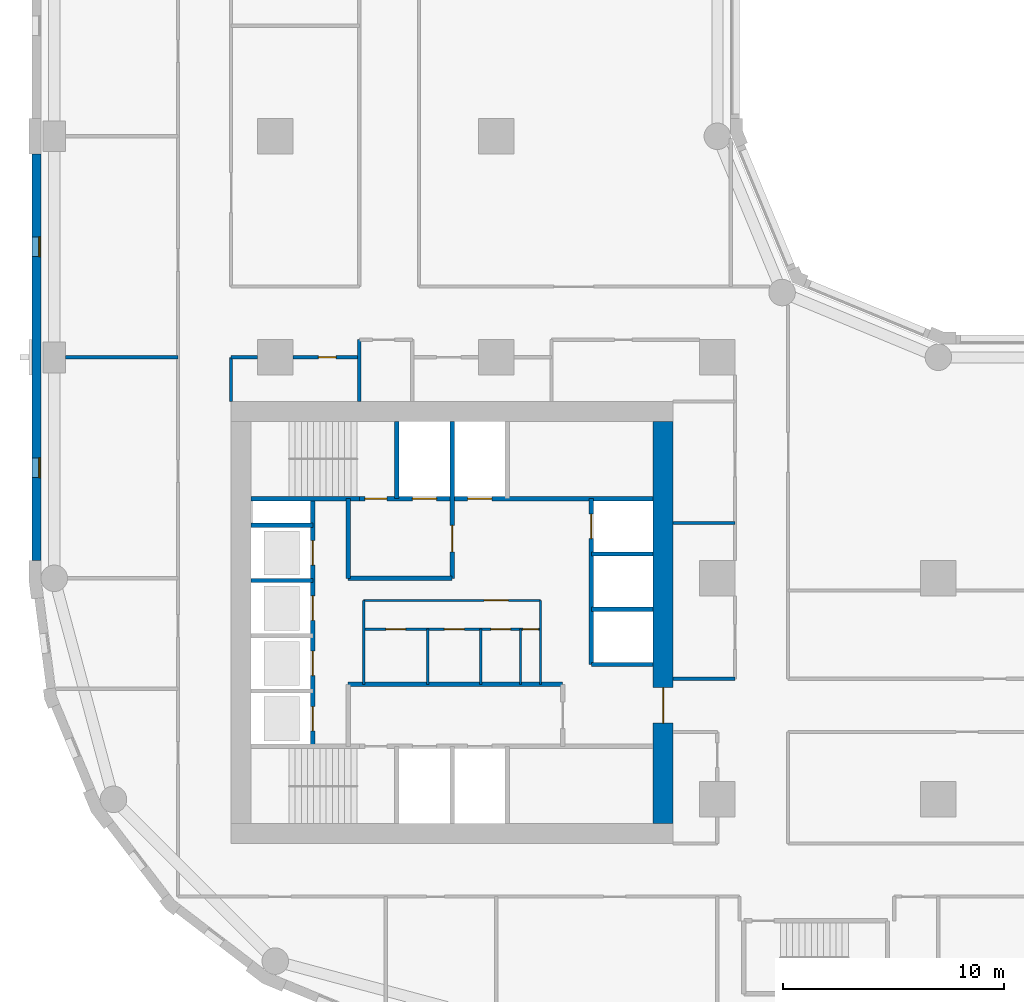
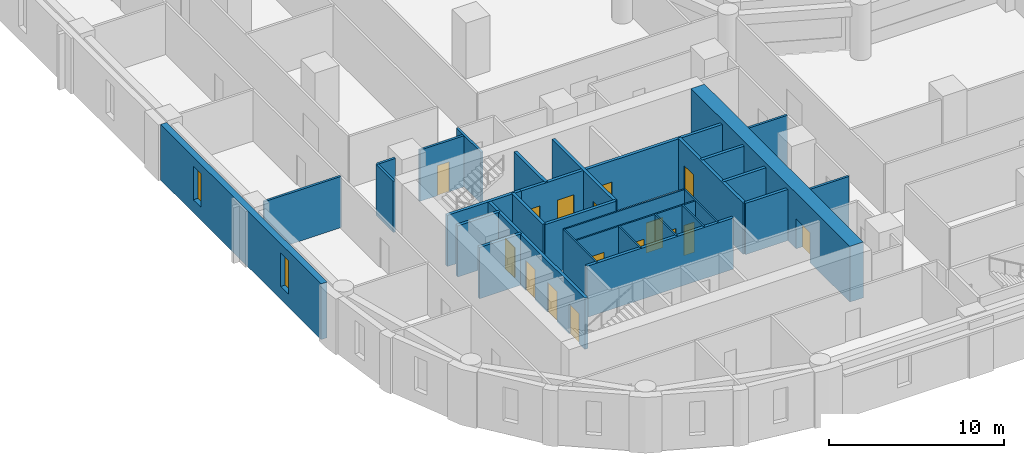
# One storey, part 3 of 11: 30 walls, 16 doors, 2 windows, 18 openings.
"""IFC4 building model written with IfcOpenShell, lengths in metres."""

from ifc_helpers import new_model, si_unit, direction, frame, frame_2d, origin, place, context, subcontext, project, spatial, rectangle, extrude, material, layer, layer_set, type_object, element, fill, save


model = new_model("IFC4")

# Units and contexts
model_context = context("Model", 3, precision=1e-05, world=origin(), true_north=direction((0.0, 1.0)))
body_context = subcontext(model_context, "Body", "Model", "MODEL_VIEW")
ifc_project = project(units=[si_unit("LENGTHUNIT", "METRE"), si_unit("AREAUNIT", "SQUARE_METRE"), si_unit("VOLUMEUNIT", "CUBIC_METRE"), si_unit("PLANEANGLEUNIT", "RADIAN"), si_unit("MASSUNIT", "GRAM", prefix="KILO")], contexts=[model_context])

# Site, building, storey
site_placement = place(None, origin())
site = spatial("IfcSite", under=ifc_project, at=site_placement, CompositionType="ELEMENT")
building_placement = place(site_placement, origin())
building = spatial("IfcBuilding", under=site, at=building_placement, Name="Qaws Garden Tower", CompositionType="ELEMENT")
storey_placement = place(building_placement, frame((0.0, 0.0, 31.5)))
storey = spatial("IfcBuildingStorey", under=building, at=storey_placement, Name="L07", CompositionType="ELEMENT", Elevation=31.5)

# Wall, openings, windows
ifc_material_1 = material(Name="Clay facing brick masonry", Category="masonry")
ifc_layer_1 = layer(ifc_material_1, 0.39990234375)
ifc_layer_set_1 = layer_set([ifc_layer_1], Name="Clay facing brick masonry")
wall_type_1 = type_object("IfcWallType", Name="Brick infill wall 400", PredefinedType="SOLIDWALL", material=ifc_layer_set_1)
wall_1_placement = place(storey_placement, frame((-0.800048828125, 39.199951171875, 0.0), z_axis=(0.0, 0.0, 1.0), x_axis=(0.0, -1.0, 0.0)))
wall_1 = element("IfcWall", 1, at=wall_1_placement, inside=storey, type_object=wall_type_1, Name="E-L07-infill-25", PredefinedType="SOLIDWALL", context=body_context, shape_type="SweptSolid", body=[
    extrude(rectangle(XDim=18.39990234375, YDim=0.39990234375, at=frame_2d((9.199951171875, 0.0))), origin(), (0.0, 0.0, 1.0), 3.89990234375),
])
opening_1_placement = place(wall_1_placement, frame((3.75, 0.0, 0.89990234375)))
opening_1 = element("IfcOpeningElement", 2, at=opening_1_placement, cuts=wall_1, Name="Opening W09", PredefinedType="OPENING", context=body_context, shape_type="SweptSolid", body=[
    extrude(rectangle(XDim=0.89990234375, YDim=2.35009765625, at=frame_2d((0.449951171875, 1.175048828125))), frame((0.0, 0.2099609375, 0.0), z_axis=(0.0, -1.0, 0.0), x_axis=(1.0, 0.0, 0.0)), (0.0, 0.0, 1.0), 0.419921875),
])
opening_2_placement = place(wall_1_placement, frame((13.75, 0.0, 0.89990234375)))
opening_2 = element("IfcOpeningElement", 3, at=opening_2_placement, cuts=wall_1, Name="Opening W09", PredefinedType="OPENING", context=body_context, shape_type="SweptSolid", body=[
    extrude(rectangle(XDim=0.89990234375, YDim=2.35009765625, at=frame_2d((0.449951171875, 1.175048828125))), frame((0.0, 0.2099609375, 0.0), z_axis=(0.0, -1.0, 0.0), x_axis=(1.0, 0.0, 0.0)), (0.0, 0.0, 1.0), 0.419921875),
])
ifc_material_2 = material(Name="Aluminium framed window, clear glazing", Category="aluminium")
window_type = type_object("IfcWindowType", Name="Slit window 900 x 2350", PartitioningType="SINGLE_PANEL", PredefinedType="WINDOW", material=ifc_material_2)
window_1_placement = place(opening_1_placement, origin())
window_1 = element("IfcWindow", 4, at=window_1_placement, inside=storey, type_object=window_type, Name="E-L07-window-25-0", OverallHeight=2.35009765625, OverallWidth=0.89990234375, PartitioningType="SINGLE_PANEL", PredefinedType="WINDOW", context=body_context, shape_type="SweptSolid", body=[
    extrude(rectangle(XDim=0.89990234375, YDim=2.35009765625, at=frame_2d((0.449951171875, 1.175048828125))), frame((0.0, 0.159912109375, 0.0), z_axis=(0.0, -1.0, 0.0), x_axis=(1.0, 0.0, 0.0)), (0.0, 0.0, 1.0), 0.06005859375),
])
fill(opening_1, window_1)
window_2_placement = place(opening_2_placement, origin())
window_2 = element("IfcWindow", 5, at=window_2_placement, inside=storey, type_object=window_type, Name="E-L07-window-26-0", OverallHeight=2.35009765625, OverallWidth=0.89990234375, PartitioningType="SINGLE_PANEL", PredefinedType="WINDOW", context=body_context, shape_type="SweptSolid", body=[
    extrude(rectangle(XDim=0.89990234375, YDim=2.35009765625, at=frame_2d((0.449951171875, 1.175048828125))), frame((0.0, 0.159912109375, 0.0), z_axis=(0.0, -1.0, 0.0), x_axis=(1.0, 0.0, 0.0)), (0.0, 0.0, 1.0), 0.06005859375),
])
fill(opening_2, window_2)

# Wall, openings, doors
ifc_material_3 = material(Name="Plasterboard")
ifc_layer_2 = layer(ifc_material_3, 0.10009765625)
ifc_layer_set_2 = layer_set([ifc_layer_2], Name="Plasterboard")
wall_type_2 = type_object("IfcWallType", Name="Core partition 100", PredefinedType="PARTITIONING", material=ifc_layer_set_2)
wall_2_placement = place(storey_placement, frame((14.0, 17.699951171875, 0.0), z_axis=(0.0, 0.0, 1.0), x_axis=(1.0, 0.0, 0.0)))
wall_2 = element("IfcWall", 6, at=wall_2_placement, inside=storey, type_object=wall_type_2, Name="Core partition", PredefinedType="PARTITIONING", context=body_context, shape_type="SweptSolid", body=[
    extrude(rectangle(XDim=8.0, YDim=0.10009765625, at=frame_2d((4.0, 0.0))), origin(), (0.0, 0.0, 1.0), 3.580078125),
])
opening_3_placement = place(wall_2_placement, frame((1.0, 0.0, 0.0)))
opening_3 = element("IfcOpeningElement", 7, at=opening_3_placement, cuts=wall_2, Name="Opening WD18", PredefinedType="OPENING", context=body_context, shape_type="SweptSolid", body=[
    extrude(rectangle(XDim=0.89990234375, YDim=2.10009765625, at=frame_2d((0.449951171875, 1.050048828125))), frame((0.0, 0.06005859375, 0.0), z_axis=(0.0, -1.0, 0.0), x_axis=(1.0, 0.0, 0.0)), (0.0, 0.0, 1.0), 0.1201171875),
])
opening_4_placement = place(wall_2_placement, frame((3.64990234375, 0.0, 0.0)))
opening_4 = element("IfcOpeningElement", 8, at=opening_4_placement, cuts=wall_2, Name="Opening WD19", PredefinedType="OPENING", context=body_context, shape_type="SweptSolid", body=[
    extrude(rectangle(XDim=0.89990234375, YDim=2.10009765625, at=frame_2d((0.449951171875, 1.050048828125))), frame((0.0, 0.06005859375, 0.0), z_axis=(0.0, -1.0, 0.0), x_axis=(1.0, 0.0, 0.0)), (0.0, 0.0, 1.0), 0.1201171875),
])
opening_5_placement = place(wall_2_placement, frame((5.75, 0.0, 0.0)))
opening_5 = element("IfcOpeningElement", 9, at=opening_5_placement, cuts=wall_2, Name="Opening WD20", PredefinedType="OPENING", context=body_context, shape_type="SweptSolid", body=[
    extrude(rectangle(XDim=0.89990234375, YDim=2.10009765625, at=frame_2d((0.449951171875, 1.050048828125))), frame((0.0, 0.06005859375, 0.0), z_axis=(0.0, -1.0, 0.0), x_axis=(1.0, 0.0, 0.0)), (0.0, 0.0, 1.0), 0.1201171875),
])
opening_6_placement = place(wall_2_placement, frame((7.199951171875, 0.0, 0.0)))
opening_6 = element("IfcOpeningElement", 10, at=opening_6_placement, cuts=wall_2, Name="Opening XD21", PredefinedType="OPENING", context=body_context, shape_type="SweptSolid", body=[
    extrude(rectangle(XDim=0.699951171875, YDim=2.10009765625, at=frame_2d((0.35009765625, 1.050048828125))), frame((0.0, 0.06005859375, 0.0), z_axis=(0.0, -1.0, 0.0), x_axis=(1.0, 0.0, 0.0)), (0.0, 0.0, 1.0), 0.1201171875),
])
ifc_material_4 = material(Name="Timber", Category="wood")
door_type_1 = type_object("IfcDoorType", Name="Store door 700x2100", OperationType="SINGLE_SWING_LEFT", PredefinedType="DOOR", material=ifc_material_4)
door_1_placement = place(opening_6_placement, frame((0.699951171875, 0.0, 0.0), z_axis=(0.0, 0.0, 1.0), x_axis=(-1.0, 0.0, 0.0)))
door_1 = element("IfcDoor", 11, at=door_1_placement, inside=storey, type_object=door_type_1, Name="Cleaner's store door", OperationType="SINGLE_SWING_LEFT", OverallHeight=2.10009765625, OverallWidth=0.699951171875, PredefinedType="DOOR", context=body_context, shape_type="SweptSolid", body=[
    extrude(rectangle(XDim=0.699951171875, YDim=2.10009765625, at=frame_2d((0.35009765625, 1.050048828125))), frame((0.0, 0.02490234375, 0.0), z_axis=(0.0, -1.0, 0.0), x_axis=(1.0, 0.0, 0.0)), (0.0, 0.0, 1.0), 0.050048828125),
])
fill(opening_6, door_1)
ifc_material_5 = material(Name="Timber", Category="wood")
door_type_2 = type_object("IfcDoorType", Name="WC door 900x2100", OperationType="SINGLE_SWING_LEFT", PredefinedType="DOOR", material=ifc_material_5)
door_2_placement = place(opening_3_placement, frame((0.89990234375, 0.0, 0.0), z_axis=(0.0, 0.0, 1.0), x_axis=(-1.0, 0.0, 0.0)))
door_2 = element("IfcDoor", 12, at=door_2_placement, inside=storey, type_object=door_type_2, Name="Women's WC door", OperationType="SINGLE_SWING_LEFT", OverallHeight=2.10009765625, OverallWidth=0.89990234375, PredefinedType="DOOR", context=body_context, shape_type="SweptSolid", body=[
    extrude(rectangle(XDim=0.89990234375, YDim=2.10009765625, at=frame_2d((0.449951171875, 1.050048828125))), frame((0.0, 0.02490234375, 0.0), z_axis=(0.0, -1.0, 0.0), x_axis=(1.0, 0.0, 0.0)), (0.0, 0.0, 1.0), 0.050048828125),
])
fill(opening_3, door_2)
door_3_placement = place(opening_4_placement, frame((0.89990234375, 0.0, 0.0), z_axis=(0.0, 0.0, 1.0), x_axis=(-1.0, 0.0, 0.0)))
door_3 = element("IfcDoor", 13, at=door_3_placement, inside=storey, type_object=door_type_2, Name="Men's WC door", OperationType="SINGLE_SWING_LEFT", OverallHeight=2.10009765625, OverallWidth=0.89990234375, PredefinedType="DOOR", context=body_context, shape_type="SweptSolid", body=[
    extrude(rectangle(XDim=0.89990234375, YDim=2.10009765625, at=frame_2d((0.449951171875, 1.050048828125))), frame((0.0, 0.02490234375, 0.0), z_axis=(0.0, -1.0, 0.0), x_axis=(1.0, 0.0, 0.0)), (0.0, 0.0, 1.0), 0.050048828125),
])
fill(opening_4, door_3)
door_4_placement = place(opening_5_placement, frame((0.89990234375, 0.0, 0.0), z_axis=(0.0, 0.0, 1.0), x_axis=(-1.0, 0.0, 0.0)))
door_4 = element("IfcDoor", 14, at=door_4_placement, inside=storey, type_object=door_type_2, Name="Accessible WC door", OperationType="SINGLE_SWING_LEFT", OverallHeight=2.10009765625, OverallWidth=0.89990234375, PredefinedType="DOOR", context=body_context, shape_type="SweptSolid", body=[
    extrude(rectangle(XDim=0.89990234375, YDim=2.10009765625, at=frame_2d((0.449951171875, 1.050048828125))), frame((0.0, 0.02490234375, 0.0), z_axis=(0.0, -1.0, 0.0), x_axis=(1.0, 0.0, 0.0)), (0.0, 0.0, 1.0), 0.050048828125),
])
fill(opening_5, door_4)

# Wall, opening, door
wall_3_placement = place(storey_placement, frame((14.0, 19.0, 0.0), z_axis=(0.0, 0.0, 1.0), x_axis=(1.0, 0.0, 0.0)))
wall_3 = element("IfcWall", 15, at=wall_3_placement, inside=storey, type_object=wall_type_2, Name="Core partition", PredefinedType="PARTITIONING", context=body_context, shape_type="SweptSolid", body=[
    extrude(rectangle(XDim=8.0, YDim=0.10009765625, at=frame_2d((4.0, 0.0))), origin(), (0.0, 0.0, 1.0), 3.580078125),
])
opening_7_placement = place(wall_3_placement, frame((5.449951171875, 0.0, 0.0)))
opening_7 = element("IfcOpeningElement", 16, at=opening_7_placement, cuts=wall_3, Name="Opening WL17", PredefinedType="OPENING", context=body_context, shape_type="SweptSolid", body=[
    extrude(rectangle(XDim=1.10009765625, YDim=2.10009765625, at=frame_2d((0.550048828125, 1.050048828125))), frame((0.0, 0.06005859375, 0.0), z_axis=(0.0, -1.0, 0.0), x_axis=(1.0, 0.0, 0.0)), (0.0, 0.0, 1.0), 0.1201171875),
])
ifc_material_6 = material(Name="Timber", Category="wood")
door_type_3 = type_object("IfcDoorType", Name="WC lobby door 1100x2100", OperationType="SINGLE_SWING_LEFT", PredefinedType="DOOR", material=ifc_material_6)
door_5_placement = place(opening_7_placement, frame((1.10009765625, 0.0, 0.0), z_axis=(0.0, 0.0, 1.0), x_axis=(-1.0, 0.0, 0.0)))
door_5 = element("IfcDoor", 17, at=door_5_placement, inside=storey, type_object=door_type_3, Name="WC lobby door", OperationType="SINGLE_SWING_LEFT", OverallHeight=2.10009765625, OverallWidth=1.10009765625, PredefinedType="DOOR", context=body_context, shape_type="SweptSolid", body=[
    extrude(rectangle(XDim=1.10009765625, YDim=2.10009765625, at=frame_2d((0.550048828125, 1.050048828125))), frame((0.0, 0.02490234375, 0.0), z_axis=(0.0, -1.0, 0.0), x_axis=(1.0, 0.0, 0.0)), (0.0, 0.0, 1.0), 0.050048828125),
])
fill(opening_7, door_5)

# Walls
wall_4_placement = place(storey_placement, frame((14.0, 15.199951171875, 0.0), z_axis=(0.0, 0.0, 1.0), x_axis=(0.0, 1.0, 0.0)))
element("IfcWall", 18, at=wall_4_placement, inside=storey, type_object=wall_type_2, Name="Core partition", PredefinedType="PARTITIONING", context=body_context, shape_type="SweptSolid", body=[
    extrude(rectangle(XDim=3.800048828125, YDim=0.10009765625, at=frame_2d((1.89990234375, 0.0))), origin(), (0.0, 0.0, 1.0), 3.580078125),
])
for number, where, z_axis, x_axis, name in (
    (19, (16.89990234375, 15.199951171875, 0.0), (0.0, 0.0, 1.0), (0.0, 1.0, 0.0), "Core partition"),
    (20, (19.300048828125, 15.199951171875, 0.0), (0.0, 0.0, 1.0), (0.0, 1.0, 0.0), "Core partition"),
    (21, (21.10009765625, 15.199951171875, 0.0), (0.0, 0.0, 1.0), (0.0, 1.0, 0.0), "Core partition"),
):
    element("IfcWall", number, at=place(storey_placement, frame(where, z_axis=z_axis, x_axis=x_axis)), inside=storey, type_object=wall_type_2, Name=name, PredefinedType="PARTITIONING", context=body_context, shape_type="SweptSolid", body=[
        extrude(rectangle(XDim=2.5, YDim=0.10009765625, at=frame_2d((1.25, 0.0))), origin(), (0.0, 0.0, 1.0), 3.580078125),
    ])
wall_5_placement = place(storey_placement, frame((22.0, 15.199951171875, 0.0), z_axis=(0.0, 0.0, 1.0), x_axis=(0.0, 1.0, 0.0)))
element("IfcWall", 22, at=wall_5_placement, inside=storey, type_object=wall_type_2, Name="Core partition", PredefinedType="PARTITIONING", context=body_context, shape_type="SweptSolid", body=[
    extrude(rectangle(XDim=3.800048828125, YDim=0.10009765625, at=frame_2d((1.89990234375, 0.0))), origin(), (0.0, 0.0, 1.0), 3.580078125),
])
ifc_material_7 = material(Name="Concrete C80", Category="concrete")
ifc_layer_3 = layer(ifc_material_7, 0.199951171875)
ifc_layer_set_3 = layer_set([ifc_layer_3], Name="Concrete C80")
wall_type_3 = type_object("IfcWallType", Name="Core shaft wall 200 C80", PredefinedType="SHEAR", material=ifc_layer_set_3)
wall_6_placement = place(storey_placement, frame((13.300048828125, 15.199951171875, 0.0), z_axis=(0.0, 0.0, 1.0), x_axis=(1.0, 0.0, 0.0)))
element("IfcWall", 23, at=wall_6_placement, inside=storey, type_object=wall_type_3, Name="Shaft wall", PredefinedType="SHEAR", context=body_context, shape_type="SweptSolid", body=[
    extrude(rectangle(XDim=9.699951171875, YDim=0.199951171875, at=frame_2d((4.85009765625, 0.0))), origin(), (0.0, 0.0, 1.0), 3.580078125),
])
for number, where, z_axis, x_axis, name in (
    (24, (24.300048828125, 16.10009765625, 0.0), (0.0, 0.0, 1.0), (1.0, 0.0, 0.0), "Shaft wall"),
    (25, (24.300048828125, 18.60009765625, 0.0), (0.0, 0.0, 1.0), (1.0, 0.0, 0.0), "Shaft wall"),
    (26, (8.89990234375, 19.89990234375, 0.0), (0.0, 0.0, 1.0), (1.0, 0.0, 0.0), "Shaft wall"),
):
    element("IfcWall", number, at=place(storey_placement, frame(where, z_axis=z_axis, x_axis=x_axis)), inside=storey, type_object=wall_type_3, Name=name, PredefinedType="SHEAR", context=body_context, shape_type="SweptSolid", body=[
        extrude(rectangle(XDim=2.800048828125, YDim=0.199951171875, at=frame_2d((1.39990234375, 0.0))), origin(), (0.0, 0.0, 1.0), 3.580078125),
    ])
wall_7_placement = place(storey_placement, frame((13.300048828125, 20.0, 0.0), z_axis=(0.0, 0.0, 1.0), x_axis=(1.0, 0.0, 0.0)))
element("IfcWall", 27, at=wall_7_placement, inside=storey, type_object=wall_type_3, Name="Shaft wall", PredefinedType="SHEAR", context=body_context, shape_type="SweptSolid", body=[
    extrude(rectangle(XDim=4.699951171875, YDim=0.199951171875, at=frame_2d((2.35009765625, 0.0))), origin(), (0.0, 0.0, 1.0), 3.580078125),
])
for number, where, z_axis, x_axis, name in (
    (28, (24.300048828125, 21.10009765625, 0.0), (0.0, 0.0, 1.0), (1.0, 0.0, 0.0), "Shaft wall"),
    (29, (8.89990234375, 22.39990234375, 0.0), (0.0, 0.0, 1.0), (1.0, 0.0, 0.0), "Shaft wall"),
):
    element("IfcWall", number, at=place(storey_placement, frame(where, z_axis=z_axis, x_axis=x_axis)), inside=storey, type_object=wall_type_3, Name=name, PredefinedType="SHEAR", context=body_context, shape_type="SweptSolid", body=[
        extrude(rectangle(XDim=2.800048828125, YDim=0.199951171875, at=frame_2d((1.39990234375, 0.0))), origin(), (0.0, 0.0, 1.0), 3.580078125),
    ])
wall_8_placement = place(storey_placement, frame((8.89990234375, 23.60009765625, 0.0), z_axis=(0.0, 0.0, 1.0), x_axis=(1.0, 0.0, 0.0)))
element("IfcWall", 30, at=wall_8_placement, inside=storey, type_object=wall_type_3, Name="Shaft wall", PredefinedType="SHEAR", context=body_context, shape_type="SweptSolid", body=[
    extrude(rectangle(XDim=4.900146484375, YDim=0.199951171875, at=frame_2d((2.4501953125, 0.0))), origin(), (0.0, 0.0, 1.0), 3.580078125),
])

# Wall, openings, doors
wall_9_placement = place(storey_placement, frame((13.800048828125, 23.60009765625, 0.0), z_axis=(0.0, 0.0, 1.0), x_axis=(1.0, 0.0, 0.0)))
wall_9 = element("IfcWall", 31, at=wall_9_placement, inside=storey, type_object=wall_type_3, Name="Shaft wall", PredefinedType="SHEAR", context=body_context, shape_type="SweptSolid", body=[
    extrude(rectangle(XDim=13.300048828125, YDim=0.199951171875, at=frame_2d((6.64990234375, 0.0))), origin(), (0.0, 0.0, 1.0), 3.580078125),
])
opening_8_placement = place(wall_9_placement, frame((2.39990234375, 0.0, 0.0)))
opening_8 = element("IfcOpeningElement", 32, at=opening_8_placement, cuts=wall_9, Name="Opening LD08", PredefinedType="OPENING", context=body_context, shape_type="SweptSolid", body=[
    extrude(rectangle(XDim=1.10009765625, YDim=2.10009765625, at=frame_2d((0.550048828125, 1.050048828125))), frame((0.0, 0.10986328125, 0.0), z_axis=(0.0, -1.0, 0.0), x_axis=(1.0, 0.0, 0.0)), (0.0, 0.0, 1.0), 0.219970703125),
])
opening_9_placement = place(wall_9_placement, frame((4.89990234375, 0.0, 0.0)))
opening_9 = element("IfcOpeningElement", 33, at=opening_9_placement, cuts=wall_9, Name="Opening LD09", PredefinedType="OPENING", context=body_context, shape_type="SweptSolid", body=[
    extrude(rectangle(XDim=1.10009765625, YDim=2.10009765625, at=frame_2d((0.550048828125, 1.050048828125))), frame((0.0, 0.10986328125, 0.0), z_axis=(0.0, -1.0, 0.0), x_axis=(1.0, 0.0, 0.0)), (0.0, 0.0, 1.0), 0.219970703125),
])
opening_10_placement = place(wall_9_placement, frame((0.25, 0.0, 0.0)))
opening_10 = element("IfcOpeningElement", 34, at=opening_10_placement, cuts=wall_9, Name="Opening SD11", PredefinedType="OPENING", context=body_context, shape_type="SweptSolid", body=[
    extrude(rectangle(XDim=1.0, YDim=2.10009765625, at=frame_2d((0.5, 1.050048828125))), frame((0.0, 0.10986328125, 0.0), z_axis=(0.0, -1.0, 0.0), x_axis=(1.0, 0.0, 0.0)), (0.0, 0.0, 1.0), 0.219970703125),
])
ifc_material_8 = material(Name="Steel S235", Category="steel")
door_type_4 = type_object("IfcDoorType", Name="Landing door 1100x2100", OperationType="DOUBLE_DOOR_SLIDING", PredefinedType="DOOR", material=ifc_material_8)
door_6_placement = place(opening_8_placement, origin())
door_6 = element("IfcDoor", 35, at=door_6_placement, inside=storey, type_object=door_type_4, Name="Lift FF3 landing door", OperationType="DOUBLE_DOOR_SLIDING", OverallHeight=2.10009765625, OverallWidth=1.10009765625, PredefinedType="DOOR", context=body_context, shape_type="SweptSolid", body=[
    extrude(rectangle(XDim=1.10009765625, YDim=2.10009765625, at=frame_2d((0.550048828125, 1.050048828125))), frame((0.0, 0.02490234375, 0.0), z_axis=(0.0, -1.0, 0.0), x_axis=(1.0, 0.0, 0.0)), (0.0, 0.0, 1.0), 0.050048828125),
])
fill(opening_8, door_6)
door_7_placement = place(opening_9_placement, origin())
door_7 = element("IfcDoor", 36, at=door_7_placement, inside=storey, type_object=door_type_4, Name="Lift SV2 landing door", OperationType="DOUBLE_DOOR_SLIDING", OverallHeight=2.10009765625, OverallWidth=1.10009765625, PredefinedType="DOOR", context=body_context, shape_type="SweptSolid", body=[
    extrude(rectangle(XDim=1.10009765625, YDim=2.10009765625, at=frame_2d((0.550048828125, 1.050048828125))), frame((0.0, 0.02490234375, 0.0), z_axis=(0.0, -1.0, 0.0), x_axis=(1.0, 0.0, 0.0)), (0.0, 0.0, 1.0), 0.050048828125),
])
fill(opening_9, door_7)
ifc_material_9 = material(Name="Steel S235", Category="steel")
door_type_5 = type_object("IfcDoorType", Name="Stair door 1000x2100", OperationType="SINGLE_SWING_RIGHT", PredefinedType="DOOR", material=ifc_material_9)
door_8_placement = place(opening_10_placement, origin())
door_8 = element("IfcDoor", 37, at=door_8_placement, inside=storey, type_object=door_type_5, Name="Stair 4 door", OperationType="SINGLE_SWING_RIGHT", OverallHeight=2.10009765625, OverallWidth=1.0, PredefinedType="DOOR", context=body_context, shape_type="SweptSolid", body=[
    extrude(rectangle(XDim=1.0, YDim=2.10009765625, at=frame_2d((0.5, 1.050048828125))), frame((0.0, 0.02490234375, 0.0), z_axis=(0.0, -1.0, 0.0), x_axis=(1.0, 0.0, 0.0)), (0.0, 0.0, 1.0), 0.050048828125),
])
fill(opening_10, door_8)

wall_10_placement = place(storey_placement, frame((11.699951171875, 12.39990234375, 0.0), z_axis=(0.0, 0.0, 1.0), x_axis=(0.0, 1.0, 0.0)))
wall_10 = element("IfcWall", 38, at=wall_10_placement, inside=storey, type_object=wall_type_3, Name="Shaft wall", PredefinedType="SHEAR", context=body_context, shape_type="SweptSolid", body=[
    extrude(rectangle(XDim=11.2001953125, YDim=0.199951171875, at=frame_2d((5.60009765625, 0.0))), origin(), (0.0, 0.0, 1.0), 3.580078125),
])
opening_11_placement = place(wall_10_placement, frame((0.699951171875, 0.0, 0.0)))
opening_11 = element("IfcOpeningElement", 39, at=opening_11_placement, cuts=wall_10, Name="Opening LD01", PredefinedType="OPENING", context=body_context, shape_type="SweptSolid", body=[
    extrude(rectangle(XDim=1.10009765625, YDim=2.10009765625, at=frame_2d((0.550048828125, 1.050048828125))), frame((0.0, 0.10986328125, 0.0), z_axis=(0.0, -1.0, 0.0), x_axis=(1.0, 0.0, 0.0)), (0.0, 0.0, 1.0), 0.219970703125),
])
opening_12_placement = place(wall_10_placement, frame((3.199951171875, 0.0, 0.0)))
opening_12 = element("IfcOpeningElement", 40, at=opening_12_placement, cuts=wall_10, Name="Opening LD02", PredefinedType="OPENING", context=body_context, shape_type="SweptSolid", body=[
    extrude(rectangle(XDim=1.10009765625, YDim=2.10009765625, at=frame_2d((0.550048828125, 1.050048828125))), frame((0.0, 0.10986328125, 0.0), z_axis=(0.0, -1.0, 0.0), x_axis=(1.0, 0.0, 0.0)), (0.0, 0.0, 1.0), 0.219970703125),
])
opening_13_placement = place(wall_10_placement, frame((5.699951171875, 0.0, 0.0)))
opening_13 = element("IfcOpeningElement", 41, at=opening_13_placement, cuts=wall_10, Name="Opening LD03", PredefinedType="OPENING", context=body_context, shape_type="SweptSolid", body=[
    extrude(rectangle(XDim=1.10009765625, YDim=2.10009765625, at=frame_2d((0.550048828125, 1.050048828125))), frame((0.0, 0.10986328125, 0.0), z_axis=(0.0, -1.0, 0.0), x_axis=(1.0, 0.0, 0.0)), (0.0, 0.0, 1.0), 0.219970703125),
])
opening_14_placement = place(wall_10_placement, frame((8.199951171875, 0.0, 0.0)))
opening_14 = element("IfcOpeningElement", 42, at=opening_14_placement, cuts=wall_10, Name="Opening LD04", PredefinedType="OPENING", context=body_context, shape_type="SweptSolid", body=[
    extrude(rectangle(XDim=1.10009765625, YDim=2.10009765625, at=frame_2d((0.550048828125, 1.050048828125))), frame((0.0, 0.10986328125, 0.0), z_axis=(0.0, -1.0, 0.0), x_axis=(1.0, 0.0, 0.0)), (0.0, 0.0, 1.0), 0.219970703125),
])
door_9_placement = place(opening_11_placement, origin())
door_9 = element("IfcDoor", 43, at=door_9_placement, inside=storey, type_object=door_type_4, Name="Lift W1 landing door", OperationType="DOUBLE_DOOR_SLIDING", OverallHeight=2.10009765625, OverallWidth=1.10009765625, PredefinedType="DOOR", context=body_context, shape_type="SweptSolid", body=[
    extrude(rectangle(XDim=1.10009765625, YDim=2.10009765625, at=frame_2d((0.550048828125, 1.050048828125))), frame((0.0, 0.02490234375, 0.0), z_axis=(0.0, -1.0, 0.0), x_axis=(1.0, 0.0, 0.0)), (0.0, 0.0, 1.0), 0.050048828125),
])
fill(opening_11, door_9)
door_10_placement = place(opening_12_placement, origin())
door_10 = element("IfcDoor", 44, at=door_10_placement, inside=storey, type_object=door_type_4, Name="Lift W2 landing door", OperationType="DOUBLE_DOOR_SLIDING", OverallHeight=2.10009765625, OverallWidth=1.10009765625, PredefinedType="DOOR", context=body_context, shape_type="SweptSolid", body=[
    extrude(rectangle(XDim=1.10009765625, YDim=2.10009765625, at=frame_2d((0.550048828125, 1.050048828125))), frame((0.0, 0.02490234375, 0.0), z_axis=(0.0, -1.0, 0.0), x_axis=(1.0, 0.0, 0.0)), (0.0, 0.0, 1.0), 0.050048828125),
])
fill(opening_12, door_10)
door_11_placement = place(opening_13_placement, origin())
door_11 = element("IfcDoor", 45, at=door_11_placement, inside=storey, type_object=door_type_4, Name="Lift W3 landing door", OperationType="DOUBLE_DOOR_SLIDING", OverallHeight=2.10009765625, OverallWidth=1.10009765625, PredefinedType="DOOR", context=body_context, shape_type="SweptSolid", body=[
    extrude(rectangle(XDim=1.10009765625, YDim=2.10009765625, at=frame_2d((0.550048828125, 1.050048828125))), frame((0.0, 0.02490234375, 0.0), z_axis=(0.0, -1.0, 0.0), x_axis=(1.0, 0.0, 0.0)), (0.0, 0.0, 1.0), 0.050048828125),
])
fill(opening_13, door_11)
door_12_placement = place(opening_14_placement, origin())
door_12 = element("IfcDoor", 46, at=door_12_placement, inside=storey, type_object=door_type_4, Name="Lift W4 landing door", OperationType="DOUBLE_DOOR_SLIDING", OverallHeight=2.10009765625, OverallWidth=1.10009765625, PredefinedType="DOOR", context=body_context, shape_type="SweptSolid", body=[
    extrude(rectangle(XDim=1.10009765625, YDim=2.10009765625, at=frame_2d((0.550048828125, 1.050048828125))), frame((0.0, 0.02490234375, 0.0), z_axis=(0.0, -1.0, 0.0), x_axis=(1.0, 0.0, 0.0)), (0.0, 0.0, 1.0), 0.050048828125),
])
fill(opening_14, door_12)

# Walls
wall_11_placement = place(storey_placement, frame((13.300048828125, 20.0, 0.0), z_axis=(0.0, 0.0, 1.0), x_axis=(0.0, 1.0, 0.0)))
element("IfcWall", 47, at=wall_11_placement, inside=storey, type_object=wall_type_3, Name="Shaft wall", PredefinedType="SHEAR", context=body_context, shape_type="SweptSolid", body=[
    extrude(rectangle(XDim=3.60009765625, YDim=0.199951171875, at=frame_2d((1.800048828125, 0.0))), origin(), (0.0, 0.0, 1.0), 3.580078125),
])
wall_12_placement = place(storey_placement, frame((15.5, 23.60009765625, 0.0), z_axis=(0.0, 0.0, 1.0), x_axis=(0.0, 1.0, 0.0)))
element("IfcWall", 48, at=wall_12_placement, inside=storey, type_object=wall_type_3, Name="Shaft wall", PredefinedType="SHEAR", context=body_context, shape_type="SweptSolid", body=[
    extrude(rectangle(XDim=3.5, YDim=0.199951171875, at=frame_2d((1.75, 0.0))), origin(), (0.0, 0.0, 1.0), 3.580078125),
])

# Wall, opening, door
wall_13_placement = place(storey_placement, frame((18.0, 20.0, 0.0), z_axis=(0.0, 0.0, 1.0), x_axis=(0.0, 1.0, 0.0)))
wall_13 = element("IfcWall", 49, at=wall_13_placement, inside=storey, type_object=wall_type_3, Name="Shaft wall", PredefinedType="SHEAR", context=body_context, shape_type="SweptSolid", body=[
    extrude(rectangle(XDim=7.10009765625, YDim=0.199951171875, at=frame_2d((3.550048828125, 0.0))), origin(), (0.0, 0.0, 1.0), 3.580078125),
])
opening_15_placement = place(wall_13_placement, frame((1.199951171875, 0.0, 0.0)))
opening_15 = element("IfcOpeningElement", 50, at=opening_15_placement, cuts=wall_13, Name="Opening FD16", PredefinedType="OPENING", context=body_context, shape_type="SweptSolid", body=[
    extrude(rectangle(XDim=1.199951171875, YDim=2.10009765625, at=frame_2d((0.60009765625, 1.050048828125))), frame((0.0, 0.10986328125, 0.0), z_axis=(0.0, -1.0, 0.0), x_axis=(1.0, 0.0, 0.0)), (0.0, 0.0, 1.0), 0.219970703125),
])
ifc_material_10 = material(Name="Steel S235", Category="steel")
door_type_6 = type_object("IfcDoorType", Name="Lobby door 1200x2100", OperationType="DOUBLE_DOOR_SINGLE_SWING", PredefinedType="DOOR", material=ifc_material_10)
door_13_placement = place(opening_15_placement, origin())
door_13 = element("IfcDoor", 51, at=door_13_placement, inside=storey, type_object=door_type_6, Name="Fire-fighting lobby door", OperationType="DOUBLE_DOOR_SINGLE_SWING", OverallHeight=2.10009765625, OverallWidth=1.199951171875, PredefinedType="DOOR", context=body_context, shape_type="SweptSolid", body=[
    extrude(rectangle(XDim=1.199951171875, YDim=2.10009765625, at=frame_2d((0.60009765625, 1.050048828125))), frame((0.0, 0.02490234375, 0.0), z_axis=(0.0, -1.0, 0.0), x_axis=(1.0, 0.0, 0.0)), (0.0, 0.0, 1.0), 0.050048828125),
])
fill(opening_15, door_13)

wall_14_placement = place(storey_placement, frame((24.300048828125, 16.10009765625, 0.0), z_axis=(0.0, 0.0, 1.0), x_axis=(0.0, 1.0, 0.0)))
wall_14 = element("IfcWall", 52, at=wall_14_placement, inside=storey, type_object=wall_type_3, Name="Shaft wall", PredefinedType="SHEAR", context=body_context, shape_type="SweptSolid", body=[
    extrude(rectangle(XDim=7.5, YDim=0.199951171875, at=frame_2d((3.75, 0.0))), origin(), (0.0, 0.0, 1.0), 3.580078125),
])
opening_16_placement = place(wall_14_placement, frame((5.699951171875, 0.0, 0.0)))
opening_16 = element("IfcOpeningElement", 53, at=opening_16_placement, cuts=wall_14, Name="Opening LD05", PredefinedType="OPENING", context=body_context, shape_type="SweptSolid", body=[
    extrude(rectangle(XDim=1.10009765625, YDim=2.10009765625, at=frame_2d((0.550048828125, 1.050048828125))), frame((0.0, 0.10986328125, 0.0), z_axis=(0.0, -1.0, 0.0), x_axis=(1.0, 0.0, 0.0)), (0.0, 0.0, 1.0), 0.219970703125),
])
door_14_placement = place(opening_16_placement, origin())
door_14 = element("IfcDoor", 54, at=door_14_placement, inside=storey, type_object=door_type_4, Name="Lift E3 landing door", OperationType="DOUBLE_DOOR_SLIDING", OverallHeight=2.10009765625, OverallWidth=1.10009765625, PredefinedType="DOOR", context=body_context, shape_type="SweptSolid", body=[
    extrude(rectangle(XDim=1.10009765625, YDim=2.10009765625, at=frame_2d((0.550048828125, 1.050048828125))), frame((0.0, 0.02490234375, 0.0), z_axis=(0.0, -1.0, 0.0), x_axis=(1.0, 0.0, 0.0)), (0.0, 0.0, 1.0), 0.050048828125),
])
fill(opening_16, door_14)

ifc_material_11 = material(Name="Concrete C80", Category="concrete")
ifc_layer_4 = layer(ifc_material_11, 0.89990234375)
ifc_layer_set_4 = layer_set([ifc_layer_4], Name="Concrete C80")
wall_type_4 = type_object("IfcWallType", Name="Core wall 900 C80", PredefinedType="SHEAR", material=ifc_layer_set_4)
wall_15_placement = place(storey_placement, frame((27.550048828125, 8.89990234375, 0.0), z_axis=(0.0, 0.0, 1.0), x_axis=(0.0, 1.0, 0.0)))
wall_15 = element("IfcWall", 55, at=wall_15_placement, inside=storey, type_object=wall_type_4, Name="Core wall L07 east", PredefinedType="SHEAR", context=body_context, shape_type="SweptSolid", body=[
    extrude(rectangle(XDim=18.2001953125, YDim=0.89990234375, at=frame_2d((9.10009765625, 0.0))), origin(), (0.0, 0.0, 1.0), 3.89990234375),
])
opening_17_placement = place(wall_15_placement, frame((4.550048828125, 0.0, 0.0)))
opening_17 = element("IfcOpeningElement", 56, at=opening_17_placement, cuts=wall_15, Name="Opening ED22", PredefinedType="OPENING", context=body_context, shape_type="SweptSolid", body=[
    extrude(rectangle(XDim=1.60009765625, YDim=2.10009765625, at=frame_2d((0.800048828125, 1.050048828125))), frame((0.0, 0.4599609375, 0.0), z_axis=(0.0, -1.0, 0.0), x_axis=(1.0, 0.0, 0.0)), (0.0, 0.0, 1.0), 0.919921875),
])
ifc_material_12 = material(Name="Steel S235", Category="steel")
door_type_7 = type_object("IfcDoorType", Name="Core entrance door 1600x2100", OperationType="DOUBLE_DOOR_SINGLE_SWING", PredefinedType="DOOR", material=ifc_material_12)
door_15_placement = place(opening_17_placement, origin())
door_15 = element("IfcDoor", 57, at=door_15_placement, inside=storey, type_object=door_type_7, Name="Core entrance door", OperationType="DOUBLE_DOOR_SINGLE_SWING", OverallHeight=2.10009765625, OverallWidth=1.60009765625, PredefinedType="DOOR", context=body_context, shape_type="SweptSolid", body=[
    extrude(rectangle(XDim=1.60009765625, YDim=2.10009765625, at=frame_2d((0.800048828125, 1.050048828125))), frame((0.0, 0.02490234375, 0.0), z_axis=(0.0, -1.0, 0.0), x_axis=(1.0, 0.0, 0.0)), (0.0, 0.0, 1.0), 0.050048828125),
])
fill(opening_17, door_15)

# Walls
ifc_material_13 = material(Name="Gypsum board partition")
ifc_layer_5 = layer(ifc_material_13, 0.14990234375)
ifc_layer_set_5 = layer_set([ifc_layer_5], Name="Gypsum board partition")
wall_type_5 = type_object("IfcWallType", Name="PARTITION 150 EI 60", PredefinedType="PARTITIONING", material=ifc_layer_set_5)
wall_16_placement = place(storey_placement, frame((8.0, 28.0, 0.0), z_axis=(0.0, 0.0, 1.0), x_axis=(0.0, 1.0, 0.0)))
element("IfcWall", 58, at=wall_16_placement, inside=storey, type_object=wall_type_5, Name="O-L07-wall-006", PredefinedType="PARTITIONING", context=body_context, shape_type="SweptSolid", body=[
    extrude(rectangle(XDim=2.0, YDim=0.14990234375, at=frame_2d((1.0, 0.0))), origin(), (0.0, 0.0, 1.0), 3.580078125),
])
for number, where, z_axis, x_axis, name in (
    (59, (13.800048828125, 28.0, 0.0), (0.0, 0.0, 1.0), (0.0, 1.0, 0.0), "O-L07-wall-009"),
    (60, (28.0, 15.449951171875, 0.0), (0.0, 0.0, 1.0), (1.0, 0.0, 0.0), "O-L07-wall-043"),
    (61, (28.0, 22.5, 0.0), (0.0, 0.0, 1.0), (1.0, 0.0, 0.0), "O-L07-wall-049"),
):
    element("IfcWall", number, at=place(storey_placement, frame(where, z_axis=z_axis, x_axis=x_axis)), inside=storey, type_object=wall_type_5, Name=name, PredefinedType="PARTITIONING", context=body_context, shape_type="SweptSolid", body=[
        extrude(rectangle(XDim=2.800048828125, YDim=0.14990234375, at=frame_2d((1.39990234375, 0.0))), origin(), (0.0, 0.0, 1.0), 3.580078125),
    ])
wall_17_placement = place(storey_placement, frame((0.5, 30.0, 0.0), z_axis=(0.0, 0.0, 1.0), x_axis=(1.0, 0.0, 0.0)))
element("IfcWall", 62, at=wall_17_placement, inside=storey, type_object=wall_type_5, Name="O-L07-wall-051", PredefinedType="PARTITIONING", context=body_context, shape_type="SweptSolid", body=[
    extrude(rectangle(XDim=5.10009765625, YDim=0.14990234375, at=frame_2d((2.550048828125, 0.0))), origin(), (0.0, 0.0, 1.0), 3.580078125),
])
wall_18_placement = place(storey_placement, frame((8.0, 30.0, 0.0), z_axis=(0.0, 0.0, 1.0), x_axis=(1.0, 0.0, 0.0)))
element("IfcWall", 63, at=wall_18_placement, inside=storey, type_object=wall_type_5, Name="O-L07-wall-052", PredefinedType="PARTITIONING", context=body_context, shape_type="SweptSolid", body=[
    extrude(rectangle(XDim=1.199951171875, YDim=0.14990234375, at=frame_2d((0.60009765625, 0.0))), origin(), (0.0, 0.0, 1.0), 3.580078125),
])

# Wall, opening, door
wall_19_placement = place(storey_placement, frame((10.800048828125, 30.0, 0.0), z_axis=(0.0, 0.0, 1.0), x_axis=(1.0, 0.0, 0.0)))
wall_19 = element("IfcWall", 64, at=wall_19_placement, inside=storey, type_object=wall_type_5, Name="O-L07-wall-053", PredefinedType="PARTITIONING", context=body_context, shape_type="SweptSolid", body=[
    extrude(rectangle(XDim=3.0, YDim=0.14990234375, at=frame_2d((1.5, 0.0))), origin(), (0.0, 0.0, 1.0), 3.580078125),
])
opening_18_placement = place(wall_19_placement, frame((1.14990234375, 0.0, 0.0)))
opening_18 = element("IfcOpeningElement", 65, at=opening_18_placement, cuts=wall_19, Name="Opening A214", PredefinedType="OPENING", context=body_context, shape_type="SweptSolid", body=[
    extrude(rectangle(XDim=0.800048828125, YDim=2.10009765625, at=frame_2d((0.39990234375, 1.050048828125))), frame((0.0, 0.0849609375, 0.0), z_axis=(0.0, -1.0, 0.0), x_axis=(1.0, 0.0, 0.0)), (0.0, 0.0, 1.0), 0.169921875),
])
ifc_material_14 = material(Name="Timber door leaf", Category="wood")
door_type_8 = type_object("IfcDoorType", Name="STORE DOOR 800 X 2100", OperationType="SINGLE_SWING_LEFT", PredefinedType="DOOR", material=ifc_material_14)
door_16_placement = place(opening_18_placement, frame((0.800048828125, 0.0, 0.0), z_axis=(0.0, 0.0, 1.0), x_axis=(-1.0, 0.0, 0.0)))
door_16 = element("IfcDoor", 66, at=door_16_placement, inside=storey, type_object=door_type_8, Name="O-L07-door-014", OperationType="SINGLE_SWING_LEFT", OverallHeight=2.10009765625, OverallWidth=0.800048828125, PredefinedType="DOOR", context=body_context, shape_type="SweptSolid", body=[
    extrude(rectangle(XDim=0.800048828125, YDim=2.10009765625, at=frame_2d((0.39990234375, 1.050048828125))), frame((0.0, 0.02490234375, 0.0), z_axis=(0.0, -1.0, 0.0), x_axis=(1.0, 0.0, 0.0)), (0.0, 0.0, 1.0), 0.050048828125),
])
fill(opening_18, door_16)

save(model, "model.ifc")
